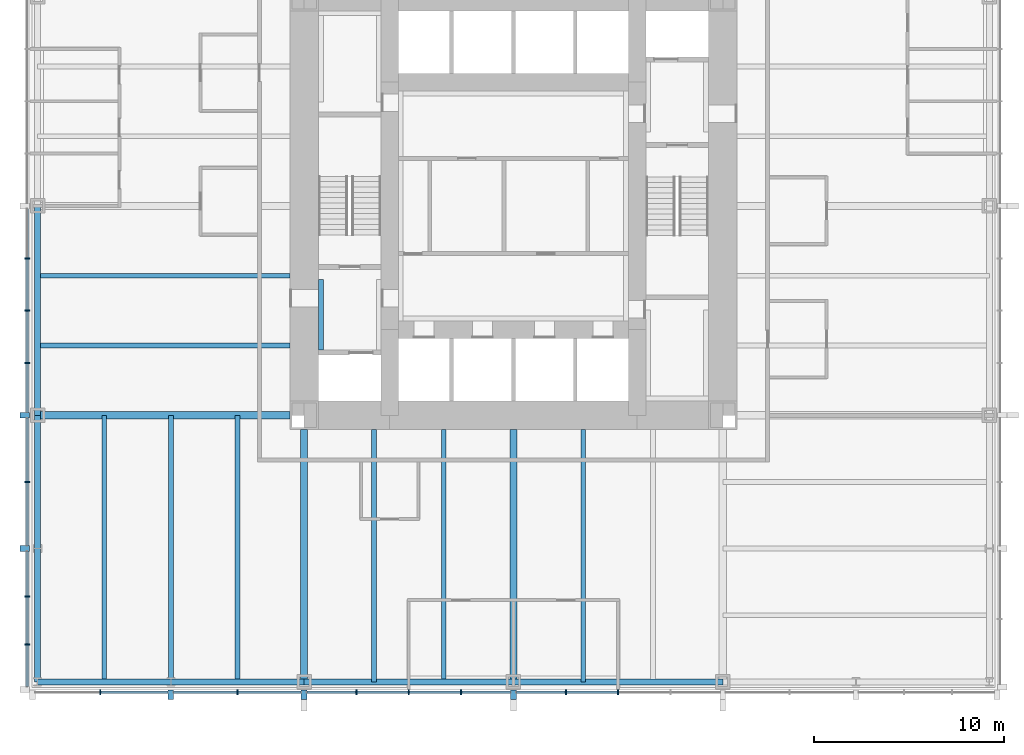
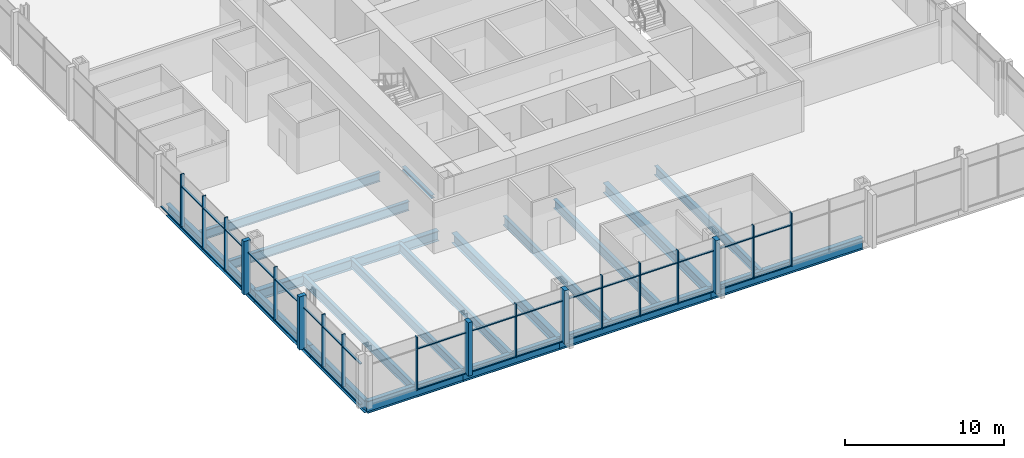
# One storey, part 2 of 12: 53 members, 19 beams, 2 elements without a shape of their own.
"""IFC4 building model written with IfcOpenShell, lengths in metres."""

from ifc_helpers import new_model, si_unit, direction, frame, origin, origin_2d, place, context, subcontext, project, spatial, rectangle, i_section, extrude, material, material_profile, profile_set, type_object, element, aggregate, save


model = new_model("IFC4")

# Units and contexts
model_context = context("Model", 3, precision=1e-05, world=origin(), true_north=direction((0.0, 1.0)))
body_context = subcontext(model_context, "Body", "Model", "MODEL_VIEW")
ifc_project = project(units=[si_unit("LENGTHUNIT", "METRE"), si_unit("AREAUNIT", "SQUARE_METRE"), si_unit("VOLUMEUNIT", "CUBIC_METRE"), si_unit("PLANEANGLEUNIT", "RADIAN"), si_unit("MASSUNIT", "GRAM", prefix="KILO")], contexts=[model_context])

# Site, building, storey
site_placement = place(None, origin())
site = spatial("IfcSite", under=ifc_project, at=site_placement, CompositionType="ELEMENT")
building_placement = place(site_placement, origin())
building = spatial("IfcBuilding", under=site, at=building_placement, Name="Trevanion Tower", CompositionType="ELEMENT")
storey_placement = place(building_placement, frame((0.0, 0.0, 65.199951171875)))
storey = spatial("IfcBuildingStorey", under=building, at=storey_placement, Name="L15", CompositionType="ELEMENT", Elevation=65.199951171875)

# Beams
ifc_material_1 = material(Name="Steel ASTM A992 Grade 50", Category="steel")
ifc_material_profile_1 = material_profile(ifc_material_1, i_section(OverallWidth=0.25390625, OverallDepth=0.700927734375, WebThickness=0.015380859375, FlangeThickness=0.02783203125, at=origin_2d()), Name="W27X129")
ifc_profile_set_1 = profile_set([ifc_material_profile_1], Name="Steel ASTM A992 Grade 50")
beam_type_1 = type_object("IfcBeamType", Name="B3 W27X129", PredefinedType="BEAM", material=ifc_profile_set_1)
for number, where, z_axis, x_axis, name in (
    (1, (-11.75, -3.666748046875, -0.54052734375), (-1.0, 0.0, 0.0), (0.0, -1.0, 0.0), "B3 L15"),
    (2, (-11.75, -7.333251953125, -0.54052734375), (-1.0, 0.0, 0.0), (0.0, -1.0, 0.0), "B3 L15"),
    (3, (-7.333251953125, -11.75, -0.54052734375), (0.0, -1.0, 0.0), (1.0, 0.0, 0.0), "B3 L15"),
    (4, (-3.666748046875, -11.75, -0.54052734375), (0.0, -1.0, 0.0), (1.0, 0.0, 0.0), "B3 L15"),
    (5, (3.666748046875, -11.75, -0.54052734375), (0.0, -1.0, 0.0), (1.0, 0.0, 0.0), "B3 L15"),
):
    element("IfcBeam", number, at=place(storey_placement, frame(where, z_axis=z_axis, x_axis=x_axis)), inside=storey, type_object=beam_type_1, Name=name, PredefinedType="BEAM", context=body_context, shape_type="SweptSolid", body=[
        extrude(i_section(OverallWidth=0.25390625, OverallDepth=0.700927734375, WebThickness=0.015380859375, FlangeThickness=0.02783203125, at=origin_2d()), origin(), (0.0, 0.0, 1.0), 13.25),
    ])
ifc_material_2 = material(Name="Steel ASTM A992 Grade 50", Category="steel")
ifc_material_profile_2 = material_profile(ifc_material_2, i_section(OverallWidth=0.256591796875, OverallDepth=0.693359375, WebThickness=0.014404296875, FlangeThickness=0.023681640625, at=origin_2d()), Name="W27X114")
ifc_profile_set_2 = profile_set([ifc_material_profile_2], Name="Steel ASTM A992 Grade 50")
beam_type_2 = type_object("IfcBeamType", Name="B4 W27X114", PredefinedType="BEAM", material=ifc_profile_set_2)
for number, where, z_axis, x_axis, name in (
    (6, (-14.5, -11.0, -0.53662109375), (0.0, -1.0, 0.0), (1.0, 0.0, 0.0), "B4 L15"),
    (7, (-18.0, -11.0, -0.53662109375), (0.0, -1.0, 0.0), (1.0, 0.0, 0.0), "B4 L15"),
    (8, (-21.5, -11.0, -0.53662109375), (0.0, -1.0, 0.0), (1.0, 0.0, 0.0), "B4 L15"),
):
    element("IfcBeam", number, at=place(storey_placement, frame(where, z_axis=z_axis, x_axis=x_axis)), inside=storey, type_object=beam_type_2, Name=name, PredefinedType="BEAM", context=body_context, shape_type="SweptSolid", body=[
        extrude(i_section(OverallWidth=0.256591796875, OverallDepth=0.693359375, WebThickness=0.014404296875, FlangeThickness=0.023681640625, at=origin_2d()), origin(), (0.0, 0.0, 1.0), 14.0),
    ])

# Curtain wall, members
ifc_material_3 = material(Name="Aluminium and glass", Category="aluminium")
curtain_wall_type = type_object("IfcCurtainWallType", Name="CW1 curtain wall", PredefinedType="USERDEFINED", material=ifc_material_3)
curtain_wall_1_placement = place(storey_placement, origin())
curtain_wall_1 = element("IfcCurtainWall", 9, at=curtain_wall_1_placement, inside=storey, type_object=curtain_wall_type, Name="CW1 L15 2", ObjectType="UNITISED CURTAIN WALL", PredefinedType="USERDEFINED")
ifc_material_4 = material(Name="Aluminium extrusion, anodised bronze", Category="aluminium")
ifc_material_profile_3 = material_profile(ifc_material_4, rectangle(XDim=0.074951171875, YDim=0.25, at=origin_2d()), Name="CW1 mullion")
ifc_profile_set_3 = profile_set([ifc_material_profile_3], Name="Aluminium extrusion, anodised bronze")
member_type_1 = type_object("IfcMemberType", Name="CW1 mullion", PredefinedType="MULLION", material=ifc_profile_set_3)
member_1_placement = place(storey_placement, frame((-25.550048828125, -2.75, -0.18994140625), z_axis=(0.0, 0.0, 1.0), x_axis=(0.0, -1.0, 0.0)))
member_1 = element("IfcMember", 10, at=member_1_placement, type_object=member_type_1, Name="CW1 mullion 10", PredefinedType="MULLION", context=body_context, shape_type="SweptSolid", body=[
    extrude(rectangle(XDim=0.074951171875, YDim=0.25, at=origin_2d()), origin(), (0.0, 0.0, 1.0), 4.10009765625),
])
member_2_placement = place(storey_placement, frame((-25.550048828125, -5.5, -0.18994140625), z_axis=(0.0, 0.0, 1.0), x_axis=(0.0, -1.0, 0.0)))
member_2 = element("IfcMember", 11, at=member_2_placement, type_object=member_type_1, Name="CW1 mullion 11", PredefinedType="MULLION", context=body_context, shape_type="SweptSolid", body=[
    extrude(rectangle(XDim=0.074951171875, YDim=0.25, at=origin_2d()), origin(), (0.0, 0.0, 1.0), 4.10009765625),
])
member_3_placement = place(storey_placement, frame((-25.550048828125, -8.25, -0.18994140625), z_axis=(0.0, 0.0, 1.0), x_axis=(0.0, -1.0, 0.0)))
member_3 = element("IfcMember", 12, at=member_3_placement, type_object=member_type_1, Name="CW1 mullion 12", PredefinedType="MULLION", context=body_context, shape_type="SweptSolid", body=[
    extrude(rectangle(XDim=0.074951171875, YDim=0.25, at=origin_2d()), origin(), (0.0, 0.0, 1.0), 4.10009765625),
])
member_4_placement = place(storey_placement, frame((-25.550048828125, -14.5, -0.18994140625), z_axis=(0.0, 0.0, 1.0), x_axis=(0.0, -1.0, 0.0)))
member_4 = element("IfcMember", 13, at=member_4_placement, type_object=member_type_1, Name="CW1 mullion 14", PredefinedType="MULLION", context=body_context, shape_type="SweptSolid", body=[
    extrude(rectangle(XDim=0.074951171875, YDim=0.25, at=origin_2d()), origin(), (0.0, 0.0, 1.0), 4.10009765625),
])
member_5_placement = place(storey_placement, frame((-25.550048828125, -20.5166015625, -0.18994140625), z_axis=(0.0, 0.0, 1.0), x_axis=(0.0, -1.0, 0.0)))
member_5 = element("IfcMember", 14, at=member_5_placement, type_object=member_type_1, Name="CW1 mullion 16", PredefinedType="MULLION", context=body_context, shape_type="SweptSolid", body=[
    extrude(rectangle(XDim=0.074951171875, YDim=0.25, at=origin_2d()), origin(), (0.0, 0.0, 1.0), 4.10009765625),
])
member_6_placement = place(storey_placement, frame((-25.550048828125, -23.033203125, -0.18994140625), z_axis=(0.0, 0.0, 1.0), x_axis=(0.0, -1.0, 0.0)))
member_6 = element("IfcMember", 15, at=member_6_placement, type_object=member_type_1, Name="CW1 mullion 17", PredefinedType="MULLION", context=body_context, shape_type="SweptSolid", body=[
    extrude(rectangle(XDim=0.074951171875, YDim=0.25, at=origin_2d()), origin(), (0.0, 0.0, 1.0), 4.10009765625),
])

curtain_wall_2_placement = place(storey_placement, origin())
curtain_wall_2 = element("IfcCurtainWall", 16, at=curtain_wall_2_placement, inside=storey, type_object=curtain_wall_type, Name="CW1 L15 3", ObjectType="UNITISED CURTAIN WALL", PredefinedType="USERDEFINED")
member_7_placement = place(storey_placement, frame((-21.7099609375, -25.550048828125, -0.18994140625), z_axis=(0.0, 0.0, 1.0), x_axis=(1.0, 0.0, 0.0)))
member_7 = element("IfcMember", 17, at=member_7_placement, type_object=member_type_1, Name="CW1 mullion 2", PredefinedType="MULLION", context=body_context, shape_type="SweptSolid", body=[
    extrude(rectangle(XDim=0.074951171875, YDim=0.25, at=origin_2d()), origin(), (0.0, 0.0, 1.0), 4.10009765625),
])
member_8_placement = place(storey_placement, frame((-14.5, -25.550048828125, -0.18994140625), z_axis=(0.0, 0.0, 1.0), x_axis=(1.0, 0.0, 0.0)))
member_8 = element("IfcMember", 18, at=member_8_placement, type_object=member_type_1, Name="CW1 mullion 4", PredefinedType="MULLION", context=body_context, shape_type="SweptSolid", body=[
    extrude(rectangle(XDim=0.074951171875, YDim=0.25, at=origin_2d()), origin(), (0.0, 0.0, 1.0), 4.10009765625),
])
member_9_placement = place(storey_placement, frame((-8.25, -25.550048828125, -0.18994140625), z_axis=(0.0, 0.0, 1.0), x_axis=(1.0, 0.0, 0.0)))
member_9 = element("IfcMember", 19, at=member_9_placement, type_object=member_type_1, Name="CW1 mullion 6", PredefinedType="MULLION", context=body_context, shape_type="SweptSolid", body=[
    extrude(rectangle(XDim=0.074951171875, YDim=0.25, at=origin_2d()), origin(), (0.0, 0.0, 1.0), 4.10009765625),
])
member_10_placement = place(storey_placement, frame((-5.5, -25.550048828125, -0.18994140625), z_axis=(0.0, 0.0, 1.0), x_axis=(1.0, 0.0, 0.0)))
member_10 = element("IfcMember", 20, at=member_10_placement, type_object=member_type_1, Name="CW1 mullion 7", PredefinedType="MULLION", context=body_context, shape_type="SweptSolid", body=[
    extrude(rectangle(XDim=0.074951171875, YDim=0.25, at=origin_2d()), origin(), (0.0, 0.0, 1.0), 4.10009765625),
])
member_11_placement = place(storey_placement, frame((-2.75, -25.550048828125, -0.18994140625), z_axis=(0.0, 0.0, 1.0), x_axis=(1.0, 0.0, 0.0)))
member_11 = element("IfcMember", 21, at=member_11_placement, type_object=member_type_1, Name="CW1 mullion 8", PredefinedType="MULLION", context=body_context, shape_type="SweptSolid", body=[
    extrude(rectangle(XDim=0.074951171875, YDim=0.25, at=origin_2d()), origin(), (0.0, 0.0, 1.0), 4.10009765625),
])
member_12_placement = place(storey_placement, frame((2.75, -25.550048828125, -0.18994140625), z_axis=(0.0, 0.0, 1.0), x_axis=(1.0, 0.0, 0.0)))
member_12 = element("IfcMember", 22, at=member_12_placement, type_object=member_type_1, Name="CW1 mullion 10", PredefinedType="MULLION", context=body_context, shape_type="SweptSolid", body=[
    extrude(rectangle(XDim=0.074951171875, YDim=0.25, at=origin_2d()), origin(), (0.0, 0.0, 1.0), 4.10009765625),
])
member_13_placement = place(storey_placement, frame((5.5, -25.550048828125, -0.18994140625), z_axis=(0.0, 0.0, 1.0), x_axis=(1.0, 0.0, 0.0)))
member_13 = element("IfcMember", 23, at=member_13_placement, type_object=member_type_1, Name="CW1 mullion 11", PredefinedType="MULLION", context=body_context, shape_type="SweptSolid", body=[
    extrude(rectangle(XDim=0.074951171875, YDim=0.25, at=origin_2d()), origin(), (0.0, 0.0, 1.0), 4.10009765625),
])

# Member
ifc_material_5 = material(Name="Aluminium extrusion, anodised bronze", Category="aluminium")
ifc_material_profile_4 = material_profile(ifc_material_5, rectangle(XDim=0.300048828125, YDim=0.5, at=origin_2d()), Name="CW1 pier mullion")
ifc_profile_set_4 = profile_set([ifc_material_profile_4], Name="Aluminium extrusion, anodised bronze")
member_type_2 = type_object("IfcMemberType", Name="CW1 pier mullion", PredefinedType="MULLION", material=ifc_profile_set_4)
member_14_placement = place(storey_placement, frame((-25.675048828125, -11.0, -0.18994140625), z_axis=(0.0, 0.0, 1.0), x_axis=(0.0, -1.0, 0.0)))
member_14 = element("IfcMember", 24, at=member_14_placement, type_object=member_type_2, Name="CW1 pier mullion 13", PredefinedType="MULLION", context=body_context, shape_type="SweptSolid", body=[
    extrude(rectangle(XDim=0.300048828125, YDim=0.5, at=origin_2d()), origin(), (0.0, 0.0, 1.0), 4.10009765625),
])

member_15_placement = place(storey_placement, frame((-25.675048828125, -18.0, -0.18994140625), z_axis=(0.0, 0.0, 1.0), x_axis=(0.0, -1.0, 0.0)))
member_15 = element("IfcMember", 25, at=member_15_placement, type_object=member_type_2, Name="CW1 pier mullion 15", PredefinedType="MULLION", context=body_context, shape_type="SweptSolid", body=[
    extrude(rectangle(XDim=0.300048828125, YDim=0.5, at=origin_2d()), origin(), (0.0, 0.0, 1.0), 4.10009765625),
])

member_16_placement = place(storey_placement, frame((-18.0, -25.675048828125, -0.18994140625), z_axis=(0.0, 0.0, 1.0), x_axis=(1.0, 0.0, 0.0)))
member_16 = element("IfcMember", 26, at=member_16_placement, type_object=member_type_2, Name="CW1 pier mullion 3", PredefinedType="MULLION", context=body_context, shape_type="SweptSolid", body=[
    extrude(rectangle(XDim=0.300048828125, YDim=0.5, at=origin_2d()), origin(), (0.0, 0.0, 1.0), 4.10009765625),
])

member_17_placement = place(storey_placement, frame((-11.0, -25.675048828125, -0.18994140625), z_axis=(0.0, 0.0, 1.0), x_axis=(1.0, 0.0, 0.0)))
member_17 = element("IfcMember", 27, at=member_17_placement, type_object=member_type_2, Name="CW1 pier mullion 5", PredefinedType="MULLION", context=body_context, shape_type="SweptSolid", body=[
    extrude(rectangle(XDim=0.300048828125, YDim=0.5, at=origin_2d()), origin(), (0.0, 0.0, 1.0), 4.10009765625),
])

member_18_placement = place(storey_placement, frame((0.0, -25.675048828125, -0.18994140625), z_axis=(0.0, 0.0, 1.0), x_axis=(1.0, 0.0, 0.0)))
member_18 = element("IfcMember", 28, at=member_18_placement, type_object=member_type_2, Name="CW1 pier mullion 9", PredefinedType="MULLION", context=body_context, shape_type="SweptSolid", body=[
    extrude(rectangle(XDim=0.300048828125, YDim=0.5, at=origin_2d()), origin(), (0.0, 0.0, 1.0), 4.10009765625),
])

ifc_material_6 = material(Name="Aluminium extrusion, anodised bronze", Category="aluminium")
ifc_material_profile_5 = material_profile(ifc_material_6, rectangle(XDim=0.14990234375, YDim=0.074951171875, at=origin_2d()), Name="CW1 transom")
ifc_profile_set_5 = profile_set([ifc_material_profile_5], Name="Aluminium extrusion, anodised bronze")
member_type_3 = type_object("IfcMemberType", Name="CW1 transom", PredefinedType="USERDEFINED", material=ifc_profile_set_5)
member_19_placement = place(storey_placement, frame((-25.550048828125, -0.14990234375, -0.15234375), z_axis=(0.0, -1.0, 0.0), x_axis=(1.0, 0.0, 0.0)))
member_19 = element("IfcMember", 29, at=member_19_placement, type_object=member_type_3, Name="CW1 transom 9.1", ObjectType="TRANSOM", PredefinedType="USERDEFINED", context=body_context, shape_type="SweptSolid", body=[
    extrude(rectangle(XDim=0.14990234375, YDim=0.074951171875, at=origin_2d()), origin(), (0.0, 0.0, 1.0), 2.5625),
])

member_20_placement = place(storey_placement, frame((-25.550048828125, -2.78759765625, -0.15234375), z_axis=(0.0, -1.0, 0.0), x_axis=(1.0, 0.0, 0.0)))
member_20 = element("IfcMember", 30, at=member_20_placement, type_object=member_type_3, Name="CW1 transom 10.1", ObjectType="TRANSOM", PredefinedType="USERDEFINED", context=body_context, shape_type="SweptSolid", body=[
    extrude(rectangle(XDim=0.14990234375, YDim=0.074951171875, at=origin_2d()), origin(), (0.0, 0.0, 1.0), 2.6748046875),
])

member_21_placement = place(storey_placement, frame((-25.550048828125, -2.78759765625, 2.9599609375), z_axis=(0.0, -1.0, 0.0), x_axis=(1.0, 0.0, 0.0)))
member_21 = element("IfcMember", 31, at=member_21_placement, type_object=member_type_3, Name="CW1 transom 10.2", ObjectType="TRANSOM", PredefinedType="USERDEFINED", context=body_context, shape_type="SweptSolid", body=[
    extrude(rectangle(XDim=0.14990234375, YDim=0.074951171875, at=origin_2d()), origin(), (0.0, 0.0, 1.0), 2.6748046875),
])

member_22_placement = place(storey_placement, frame((-25.550048828125, -5.53759765625, -0.15234375), z_axis=(0.0, -1.0, 0.0), x_axis=(1.0, 0.0, 0.0)))
member_22 = element("IfcMember", 32, at=member_22_placement, type_object=member_type_3, Name="CW1 transom 11.1", ObjectType="TRANSOM", PredefinedType="USERDEFINED", context=body_context, shape_type="SweptSolid", body=[
    extrude(rectangle(XDim=0.14990234375, YDim=0.074951171875, at=origin_2d()), origin(), (0.0, 0.0, 1.0), 2.6748046875),
])

member_23_placement = place(storey_placement, frame((-25.550048828125, -5.53759765625, 2.9599609375), z_axis=(0.0, -1.0, 0.0), x_axis=(1.0, 0.0, 0.0)))
member_23 = element("IfcMember", 33, at=member_23_placement, type_object=member_type_3, Name="CW1 transom 11.2", ObjectType="TRANSOM", PredefinedType="USERDEFINED", context=body_context, shape_type="SweptSolid", body=[
    extrude(rectangle(XDim=0.14990234375, YDim=0.074951171875, at=origin_2d()), origin(), (0.0, 0.0, 1.0), 2.6748046875),
])

member_24_placement = place(storey_placement, frame((-25.550048828125, -8.28759765625, -0.15234375), z_axis=(0.0, -1.0, 0.0), x_axis=(1.0, 0.0, 0.0)))
member_24 = element("IfcMember", 34, at=member_24_placement, type_object=member_type_3, Name="CW1 transom 12.1", ObjectType="TRANSOM", PredefinedType="USERDEFINED", context=body_context, shape_type="SweptSolid", body=[
    extrude(rectangle(XDim=0.14990234375, YDim=0.074951171875, at=origin_2d()), origin(), (0.0, 0.0, 1.0), 2.5625),
])

member_25_placement = place(storey_placement, frame((-25.550048828125, -8.28759765625, 2.9599609375), z_axis=(0.0, -1.0, 0.0), x_axis=(1.0, 0.0, 0.0)))
member_25 = element("IfcMember", 35, at=member_25_placement, type_object=member_type_3, Name="CW1 transom 12.2", ObjectType="TRANSOM", PredefinedType="USERDEFINED", context=body_context, shape_type="SweptSolid", body=[
    extrude(rectangle(XDim=0.14990234375, YDim=0.074951171875, at=origin_2d()), origin(), (0.0, 0.0, 1.0), 2.5625),
])

member_26_placement = place(storey_placement, frame((-25.550048828125, -11.14990234375, -0.15234375), z_axis=(0.0, -1.0, 0.0), x_axis=(1.0, 0.0, 0.0)))
member_26 = element("IfcMember", 36, at=member_26_placement, type_object=member_type_3, Name="CW1 transom 13.1", ObjectType="TRANSOM", PredefinedType="USERDEFINED", context=body_context, shape_type="SweptSolid", body=[
    extrude(rectangle(XDim=0.14990234375, YDim=0.074951171875, at=origin_2d()), origin(), (0.0, 0.0, 1.0), 3.3125),
])

member_27_placement = place(storey_placement, frame((-25.550048828125, -11.14990234375, 2.9599609375), z_axis=(0.0, -1.0, 0.0), x_axis=(1.0, 0.0, 0.0)))
member_27 = element("IfcMember", 37, at=member_27_placement, type_object=member_type_3, Name="CW1 transom 13.2", ObjectType="TRANSOM", PredefinedType="USERDEFINED", context=body_context, shape_type="SweptSolid", body=[
    extrude(rectangle(XDim=0.14990234375, YDim=0.074951171875, at=origin_2d()), origin(), (0.0, 0.0, 1.0), 3.3125),
])

member_28_placement = place(storey_placement, frame((-25.550048828125, -14.53759765625, -0.15234375), z_axis=(0.0, -1.0, 0.0), x_axis=(1.0, 0.0, 0.0)))
member_28 = element("IfcMember", 38, at=member_28_placement, type_object=member_type_3, Name="CW1 transom 14.1", ObjectType="TRANSOM", PredefinedType="USERDEFINED", context=body_context, shape_type="SweptSolid", body=[
    extrude(rectangle(XDim=0.14990234375, YDim=0.074951171875, at=origin_2d()), origin(), (0.0, 0.0, 1.0), 3.3125),
])

member_29_placement = place(storey_placement, frame((-25.550048828125, -14.53759765625, 2.9599609375), z_axis=(0.0, -1.0, 0.0), x_axis=(1.0, 0.0, 0.0)))
member_29 = element("IfcMember", 39, at=member_29_placement, type_object=member_type_3, Name="CW1 transom 14.2", ObjectType="TRANSOM", PredefinedType="USERDEFINED", context=body_context, shape_type="SweptSolid", body=[
    extrude(rectangle(XDim=0.14990234375, YDim=0.074951171875, at=origin_2d()), origin(), (0.0, 0.0, 1.0), 3.3125),
])

member_30_placement = place(storey_placement, frame((-25.550048828125, -18.14990234375, -0.15234375), z_axis=(0.0, -1.0, 0.0), x_axis=(1.0, 0.0, 0.0)))
member_30 = element("IfcMember", 40, at=member_30_placement, type_object=member_type_3, Name="CW1 transom 15.1", ObjectType="TRANSOM", PredefinedType="USERDEFINED", context=body_context, shape_type="SweptSolid", body=[
    extrude(rectangle(XDim=0.14990234375, YDim=0.074951171875, at=origin_2d()), origin(), (0.0, 0.0, 1.0), 2.329345703125),
])

member_31_placement = place(storey_placement, frame((-25.550048828125, -18.14990234375, 2.9599609375), z_axis=(0.0, -1.0, 0.0), x_axis=(1.0, 0.0, 0.0)))
member_31 = element("IfcMember", 41, at=member_31_placement, type_object=member_type_3, Name="CW1 transom 15.2", ObjectType="TRANSOM", PredefinedType="USERDEFINED", context=body_context, shape_type="SweptSolid", body=[
    extrude(rectangle(XDim=0.14990234375, YDim=0.074951171875, at=origin_2d()), origin(), (0.0, 0.0, 1.0), 2.329345703125),
])

member_32_placement = place(storey_placement, frame((-25.550048828125, -20.55419921875, -0.15234375), z_axis=(0.0, -1.0, 0.0), x_axis=(1.0, 0.0, 0.0)))
member_32 = element("IfcMember", 42, at=member_32_placement, type_object=member_type_3, Name="CW1 transom 16.1", ObjectType="TRANSOM", PredefinedType="USERDEFINED", context=body_context, shape_type="SweptSolid", body=[
    extrude(rectangle(XDim=0.14990234375, YDim=0.074951171875, at=origin_2d()), origin(), (0.0, 0.0, 1.0), 2.441650390625),
])

member_33_placement = place(storey_placement, frame((-25.550048828125, -20.55419921875, 2.9599609375), z_axis=(0.0, -1.0, 0.0), x_axis=(1.0, 0.0, 0.0)))
member_33 = element("IfcMember", 43, at=member_33_placement, type_object=member_type_3, Name="CW1 transom 16.2", ObjectType="TRANSOM", PredefinedType="USERDEFINED", context=body_context, shape_type="SweptSolid", body=[
    extrude(rectangle(XDim=0.14990234375, YDim=0.074951171875, at=origin_2d()), origin(), (0.0, 0.0, 1.0), 2.441650390625),
])

member_34_placement = place(storey_placement, frame((-25.550048828125, -23.07080078125, -0.15234375), z_axis=(0.0, -1.0, 0.0), x_axis=(1.0, 0.0, 0.0)))
member_34 = element("IfcMember", 44, at=member_34_placement, type_object=member_type_3, Name="CW1 transom 17.1", ObjectType="TRANSOM", PredefinedType="USERDEFINED", context=body_context, shape_type="SweptSolid", body=[
    extrude(rectangle(XDim=0.14990234375, YDim=0.074951171875, at=origin_2d()), origin(), (0.0, 0.0, 1.0), 2.17919921875),
])

member_35_placement = place(storey_placement, frame((-25.550048828125, -23.07080078125, 2.9599609375), z_axis=(0.0, -1.0, 0.0), x_axis=(1.0, 0.0, 0.0)))
member_35 = element("IfcMember", 45, at=member_35_placement, type_object=member_type_3, Name="CW1 transom 17.2", ObjectType="TRANSOM", PredefinedType="USERDEFINED", context=body_context, shape_type="SweptSolid", body=[
    extrude(rectangle(XDim=0.14990234375, YDim=0.074951171875, at=origin_2d()), origin(), (0.0, 0.0, 1.0), 2.17919921875),
])

aggregate(curtain_wall_1, [member_1, member_2, member_3, member_14, member_4, member_15, member_5, member_6, member_19, member_20, member_21, member_22, member_23, member_24, member_25, member_26, member_27, member_28, member_29, member_30, member_31, member_32, member_33, member_34, member_35])

member_36_placement = place(storey_placement, frame((-21.672607421875, -25.550048828125, -0.15234375), z_axis=(1.0, 0.0, 0.0), x_axis=(0.0, 1.0, 0.0)))
member_36 = element("IfcMember", 46, at=member_36_placement, type_object=member_type_3, Name="CW1 transom 2.1", ObjectType="TRANSOM", PredefinedType="USERDEFINED", context=body_context, shape_type="SweptSolid", body=[
    extrude(rectangle(XDim=0.14990234375, YDim=0.074951171875, at=origin_2d()), origin(), (0.0, 0.0, 1.0), 3.522705078125),
])

member_37_placement = place(storey_placement, frame((-21.672607421875, -25.550048828125, 2.9599609375), z_axis=(1.0, 0.0, 0.0), x_axis=(0.0, 1.0, 0.0)))
member_37 = element("IfcMember", 47, at=member_37_placement, type_object=member_type_3, Name="CW1 transom 2.2", ObjectType="TRANSOM", PredefinedType="USERDEFINED", context=body_context, shape_type="SweptSolid", body=[
    extrude(rectangle(XDim=0.14990234375, YDim=0.074951171875, at=origin_2d()), origin(), (0.0, 0.0, 1.0), 3.522705078125),
])

member_38_placement = place(storey_placement, frame((-17.85009765625, -25.550048828125, -0.15234375), z_axis=(1.0, 0.0, 0.0), x_axis=(0.0, 1.0, 0.0)))
member_38 = element("IfcMember", 48, at=member_38_placement, type_object=member_type_3, Name="CW1 transom 3.1", ObjectType="TRANSOM", PredefinedType="USERDEFINED", context=body_context, shape_type="SweptSolid", body=[
    extrude(rectangle(XDim=0.14990234375, YDim=0.074951171875, at=origin_2d()), origin(), (0.0, 0.0, 1.0), 3.3125),
])

member_39_placement = place(storey_placement, frame((-17.85009765625, -25.550048828125, 2.9599609375), z_axis=(1.0, 0.0, 0.0), x_axis=(0.0, 1.0, 0.0)))
member_39 = element("IfcMember", 49, at=member_39_placement, type_object=member_type_3, Name="CW1 transom 3.2", ObjectType="TRANSOM", PredefinedType="USERDEFINED", context=body_context, shape_type="SweptSolid", body=[
    extrude(rectangle(XDim=0.14990234375, YDim=0.074951171875, at=origin_2d()), origin(), (0.0, 0.0, 1.0), 3.3125),
])

member_40_placement = place(storey_placement, frame((-14.46240234375, -25.550048828125, -0.15234375), z_axis=(1.0, 0.0, 0.0), x_axis=(0.0, 1.0, 0.0)))
member_40 = element("IfcMember", 50, at=member_40_placement, type_object=member_type_3, Name="CW1 transom 4.1", ObjectType="TRANSOM", PredefinedType="USERDEFINED", context=body_context, shape_type="SweptSolid", body=[
    extrude(rectangle(XDim=0.14990234375, YDim=0.074951171875, at=origin_2d()), origin(), (0.0, 0.0, 1.0), 3.3125),
])

member_41_placement = place(storey_placement, frame((-14.46240234375, -25.550048828125, 2.9599609375), z_axis=(1.0, 0.0, 0.0), x_axis=(0.0, 1.0, 0.0)))
member_41 = element("IfcMember", 51, at=member_41_placement, type_object=member_type_3, Name="CW1 transom 4.2", ObjectType="TRANSOM", PredefinedType="USERDEFINED", context=body_context, shape_type="SweptSolid", body=[
    extrude(rectangle(XDim=0.14990234375, YDim=0.074951171875, at=origin_2d()), origin(), (0.0, 0.0, 1.0), 3.3125),
])

member_42_placement = place(storey_placement, frame((-10.85009765625, -25.550048828125, -0.15234375), z_axis=(1.0, 0.0, 0.0), x_axis=(0.0, 1.0, 0.0)))
member_42 = element("IfcMember", 52, at=member_42_placement, type_object=member_type_3, Name="CW1 transom 5.1", ObjectType="TRANSOM", PredefinedType="USERDEFINED", context=body_context, shape_type="SweptSolid", body=[
    extrude(rectangle(XDim=0.14990234375, YDim=0.074951171875, at=origin_2d()), origin(), (0.0, 0.0, 1.0), 2.5625),
])

member_43_placement = place(storey_placement, frame((-10.85009765625, -25.550048828125, 2.9599609375), z_axis=(1.0, 0.0, 0.0), x_axis=(0.0, 1.0, 0.0)))
member_43 = element("IfcMember", 53, at=member_43_placement, type_object=member_type_3, Name="CW1 transom 5.2", ObjectType="TRANSOM", PredefinedType="USERDEFINED", context=body_context, shape_type="SweptSolid", body=[
    extrude(rectangle(XDim=0.14990234375, YDim=0.074951171875, at=origin_2d()), origin(), (0.0, 0.0, 1.0), 2.5625),
])

member_44_placement = place(storey_placement, frame((-8.21240234375, -25.550048828125, -0.15234375), z_axis=(1.0, 0.0, 0.0), x_axis=(0.0, 1.0, 0.0)))
member_44 = element("IfcMember", 54, at=member_44_placement, type_object=member_type_3, Name="CW1 transom 6.1", ObjectType="TRANSOM", PredefinedType="USERDEFINED", context=body_context, shape_type="SweptSolid", body=[
    extrude(rectangle(XDim=0.14990234375, YDim=0.074951171875, at=origin_2d()), origin(), (0.0, 0.0, 1.0), 2.6748046875),
])

member_45_placement = place(storey_placement, frame((-8.21240234375, -25.550048828125, 2.9599609375), z_axis=(1.0, 0.0, 0.0), x_axis=(0.0, 1.0, 0.0)))
member_45 = element("IfcMember", 55, at=member_45_placement, type_object=member_type_3, Name="CW1 transom 6.2", ObjectType="TRANSOM", PredefinedType="USERDEFINED", context=body_context, shape_type="SweptSolid", body=[
    extrude(rectangle(XDim=0.14990234375, YDim=0.074951171875, at=origin_2d()), origin(), (0.0, 0.0, 1.0), 2.6748046875),
])

member_46_placement = place(storey_placement, frame((-5.46240234375, -25.550048828125, -0.15234375), z_axis=(1.0, 0.0, 0.0), x_axis=(0.0, 1.0, 0.0)))
member_46 = element("IfcMember", 56, at=member_46_placement, type_object=member_type_3, Name="CW1 transom 7.1", ObjectType="TRANSOM", PredefinedType="USERDEFINED", context=body_context, shape_type="SweptSolid", body=[
    extrude(rectangle(XDim=0.14990234375, YDim=0.074951171875, at=origin_2d()), origin(), (0.0, 0.0, 1.0), 2.6748046875),
])

member_47_placement = place(storey_placement, frame((-5.46240234375, -25.550048828125, 2.9599609375), z_axis=(1.0, 0.0, 0.0), x_axis=(0.0, 1.0, 0.0)))
member_47 = element("IfcMember", 57, at=member_47_placement, type_object=member_type_3, Name="CW1 transom 7.2", ObjectType="TRANSOM", PredefinedType="USERDEFINED", context=body_context, shape_type="SweptSolid", body=[
    extrude(rectangle(XDim=0.14990234375, YDim=0.074951171875, at=origin_2d()), origin(), (0.0, 0.0, 1.0), 2.6748046875),
])

member_48_placement = place(storey_placement, frame((-2.71240234375, -25.550048828125, -0.15234375), z_axis=(1.0, 0.0, 0.0), x_axis=(0.0, 1.0, 0.0)))
member_48 = element("IfcMember", 58, at=member_48_placement, type_object=member_type_3, Name="CW1 transom 8.1", ObjectType="TRANSOM", PredefinedType="USERDEFINED", context=body_context, shape_type="SweptSolid", body=[
    extrude(rectangle(XDim=0.14990234375, YDim=0.074951171875, at=origin_2d()), origin(), (0.0, 0.0, 1.0), 2.5625),
])

member_49_placement = place(storey_placement, frame((-2.71240234375, -25.550048828125, 2.9599609375), z_axis=(1.0, 0.0, 0.0), x_axis=(0.0, 1.0, 0.0)))
member_49 = element("IfcMember", 59, at=member_49_placement, type_object=member_type_3, Name="CW1 transom 8.2", ObjectType="TRANSOM", PredefinedType="USERDEFINED", context=body_context, shape_type="SweptSolid", body=[
    extrude(rectangle(XDim=0.14990234375, YDim=0.074951171875, at=origin_2d()), origin(), (0.0, 0.0, 1.0), 2.5625),
])

member_50_placement = place(storey_placement, frame((0.14990234375, -25.550048828125, -0.15234375), z_axis=(1.0, 0.0, 0.0), x_axis=(0.0, 1.0, 0.0)))
member_50 = element("IfcMember", 60, at=member_50_placement, type_object=member_type_3, Name="CW1 transom 9.1", ObjectType="TRANSOM", PredefinedType="USERDEFINED", context=body_context, shape_type="SweptSolid", body=[
    extrude(rectangle(XDim=0.14990234375, YDim=0.074951171875, at=origin_2d()), origin(), (0.0, 0.0, 1.0), 2.5625),
])

member_51_placement = place(storey_placement, frame((0.14990234375, -25.550048828125, 2.9599609375), z_axis=(1.0, 0.0, 0.0), x_axis=(0.0, 1.0, 0.0)))
member_51 = element("IfcMember", 61, at=member_51_placement, type_object=member_type_3, Name="CW1 transom 9.2", ObjectType="TRANSOM", PredefinedType="USERDEFINED", context=body_context, shape_type="SweptSolid", body=[
    extrude(rectangle(XDim=0.14990234375, YDim=0.074951171875, at=origin_2d()), origin(), (0.0, 0.0, 1.0), 2.5625),
])

member_52_placement = place(storey_placement, frame((2.78759765625, -25.550048828125, -0.15234375), z_axis=(1.0, 0.0, 0.0), x_axis=(0.0, 1.0, 0.0)))
member_52 = element("IfcMember", 62, at=member_52_placement, type_object=member_type_3, Name="CW1 transom 10.1", ObjectType="TRANSOM", PredefinedType="USERDEFINED", context=body_context, shape_type="SweptSolid", body=[
    extrude(rectangle(XDim=0.14990234375, YDim=0.074951171875, at=origin_2d()), origin(), (0.0, 0.0, 1.0), 2.6748046875),
])

member_53_placement = place(storey_placement, frame((2.78759765625, -25.550048828125, 2.9599609375), z_axis=(1.0, 0.0, 0.0), x_axis=(0.0, 1.0, 0.0)))
member_53 = element("IfcMember", 63, at=member_53_placement, type_object=member_type_3, Name="CW1 transom 10.2", ObjectType="TRANSOM", PredefinedType="USERDEFINED", context=body_context, shape_type="SweptSolid", body=[
    extrude(rectangle(XDim=0.14990234375, YDim=0.074951171875, at=origin_2d()), origin(), (0.0, 0.0, 1.0), 2.6748046875),
])

aggregate(curtain_wall_2, [member_7, member_16, member_8, member_17, member_9, member_10, member_11, member_18, member_12, member_13, member_36, member_37, member_38, member_39, member_40, member_41, member_42, member_43, member_44, member_45, member_46, member_47, member_48, member_49, member_50, member_51, member_52, member_53])

# Beams
ifc_material_7 = material(Name="Steel ASTM A992 Grade 50", Category="steel")
ifc_material_profile_6 = material_profile(ifc_material_7, i_section(OverallWidth=0.381103515625, OverallDepth=0.77978515625, WebThickness=0.01806640625, FlangeThickness=0.0302734375, at=origin_2d()), Name="W30X191")
ifc_profile_set_6 = profile_set([ifc_material_profile_6], Name="Steel ASTM A992 Grade 50")
beam_type_3 = type_object("IfcBeamType", Name="G2 W30X191", PredefinedType="BEAM", material=ifc_profile_set_6)
for number, where, z_axis, x_axis, name in (
    (64, (-11.75, -11.0, -0.579833984375), (-1.0, 0.0, 0.0), (0.0, -1.0, 0.0), "G2 L15"),
    (65, (-11.0, -11.75, -0.579833984375), (0.0, -1.0, 0.0), (1.0, 0.0, 0.0), "G2 L15"),
    (66, (0.0, -11.75, -0.579833984375), (0.0, -1.0, 0.0), (1.0, 0.0, 0.0), "G2 L15"),
):
    element("IfcBeam", number, at=place(storey_placement, frame(where, z_axis=z_axis, x_axis=x_axis)), inside=storey, type_object=beam_type_3, Name=name, PredefinedType="BEAM", context=body_context, shape_type="SweptSolid", body=[
        extrude(i_section(OverallWidth=0.381103515625, OverallDepth=0.77978515625, WebThickness=0.01806640625, FlangeThickness=0.0302734375, at=origin_2d()), origin(), (0.0, 0.0, 1.0), 13.25),
    ])
ifc_material_8 = material(Name="Steel ASTM A992 Grade 50", Category="steel")
ifc_material_profile_7 = material_profile(ifc_material_8, i_section(OverallWidth=0.256591796875, OverallDepth=0.26416015625, WebThickness=0.011962890625, FlangeThickness=0.01953125, at=origin_2d()), Name="W10X68")
ifc_profile_set_7 = profile_set([ifc_material_profile_7], Name="Steel ASTM A992 Grade 50")
beam_type_4 = type_object("IfcBeamType", Name="LB1 W10X68", PredefinedType="BEAM", material=ifc_profile_set_7)
beam_1_placement = place(storey_placement, frame((-10.12158203125, -7.574951171875, -0.33203125), z_axis=(0.0, 1.0, 0.0), x_axis=(-1.0, 0.0, 0.0)))
element("IfcBeam", 67, at=beam_1_placement, inside=storey, type_object=beam_type_4, Name="LB1 L15", PredefinedType="BEAM", context=body_context, shape_type="SweptSolid", body=[
    extrude(i_section(OverallWidth=0.256591796875, OverallDepth=0.26416015625, WebThickness=0.011962890625, FlangeThickness=0.01953125, at=origin_2d()), origin(), (0.0, 0.0, 1.0), 3.699951171875),
])
ifc_material_9 = material(Name="Steel ASTM A992 Grade 50", Category="steel")
ifc_material_profile_8 = material_profile(ifc_material_9, i_section(OverallWidth=0.307373046875, OverallDepth=0.927001953125, WebThickness=0.01953125, FlangeThickness=0.031982421875, at=origin_2d()), Name="W36X194")
ifc_profile_set_8 = profile_set([ifc_material_profile_8], Name="Steel ASTM A992 Grade 50")
beam_type_5 = type_object("IfcBeamType", Name="SB2 W36X194", PredefinedType="SPANDREL", material=ifc_profile_set_8)
beam_2_placement = place(storey_placement, frame((-25.0, 0.0, -0.653564453125), z_axis=(0.0, -1.0, 0.0), x_axis=(1.0, 0.0, 0.0)))
element("IfcBeam", 68, at=beam_2_placement, inside=storey, type_object=beam_type_5, Name="SB2 L15", PredefinedType="SPANDREL", context=body_context, shape_type="SweptSolid", body=[
    extrude(i_section(OverallWidth=0.307373046875, OverallDepth=0.927001953125, WebThickness=0.01953125, FlangeThickness=0.031982421875, at=origin_2d()), origin(), (0.0, 0.0, 1.0), 11.0),
])
for number, where, z_axis, x_axis, name in (
    (69, (-25.0, -11.0, -0.653564453125), (0.0, -1.0, 0.0), (1.0, 0.0, 0.0), "SB2 L15"),
    (70, (-25.0, -18.0, -0.653564453125), (0.0, -1.0, 0.0), (1.0, 0.0, 0.0), "SB2 L15"),
    (71, (-25.0, -25.0, -0.653564453125), (1.0, 0.0, 0.0), (0.0, 1.0, 0.0), "SB2 L15"),
    (72, (-18.0, -25.0, -0.653564453125), (1.0, 0.0, 0.0), (0.0, 1.0, 0.0), "SB2 L15"),
):
    element("IfcBeam", number, at=place(storey_placement, frame(where, z_axis=z_axis, x_axis=x_axis)), inside=storey, type_object=beam_type_5, Name=name, PredefinedType="SPANDREL", context=body_context, shape_type="SweptSolid", body=[
        extrude(i_section(OverallWidth=0.307373046875, OverallDepth=0.927001953125, WebThickness=0.01953125, FlangeThickness=0.031982421875, at=origin_2d()), origin(), (0.0, 0.0, 1.0), 7.0),
    ])
for number, where, z_axis, x_axis, name in (
    (73, (-11.0, -25.0, -0.653564453125), (1.0, 0.0, 0.0), (0.0, 1.0, 0.0), "SB2 L15"),
    (74, (0.0, -25.0, -0.653564453125), (1.0, 0.0, 0.0), (0.0, 1.0, 0.0), "SB2 L15"),
):
    element("IfcBeam", number, at=place(storey_placement, frame(where, z_axis=z_axis, x_axis=x_axis)), inside=storey, type_object=beam_type_5, Name=name, PredefinedType="SPANDREL", context=body_context, shape_type="SweptSolid", body=[
        extrude(i_section(OverallWidth=0.307373046875, OverallDepth=0.927001953125, WebThickness=0.01953125, FlangeThickness=0.031982421875, at=origin_2d()), origin(), (0.0, 0.0, 1.0), 11.0),
    ])

save(model, "model.ifc")
